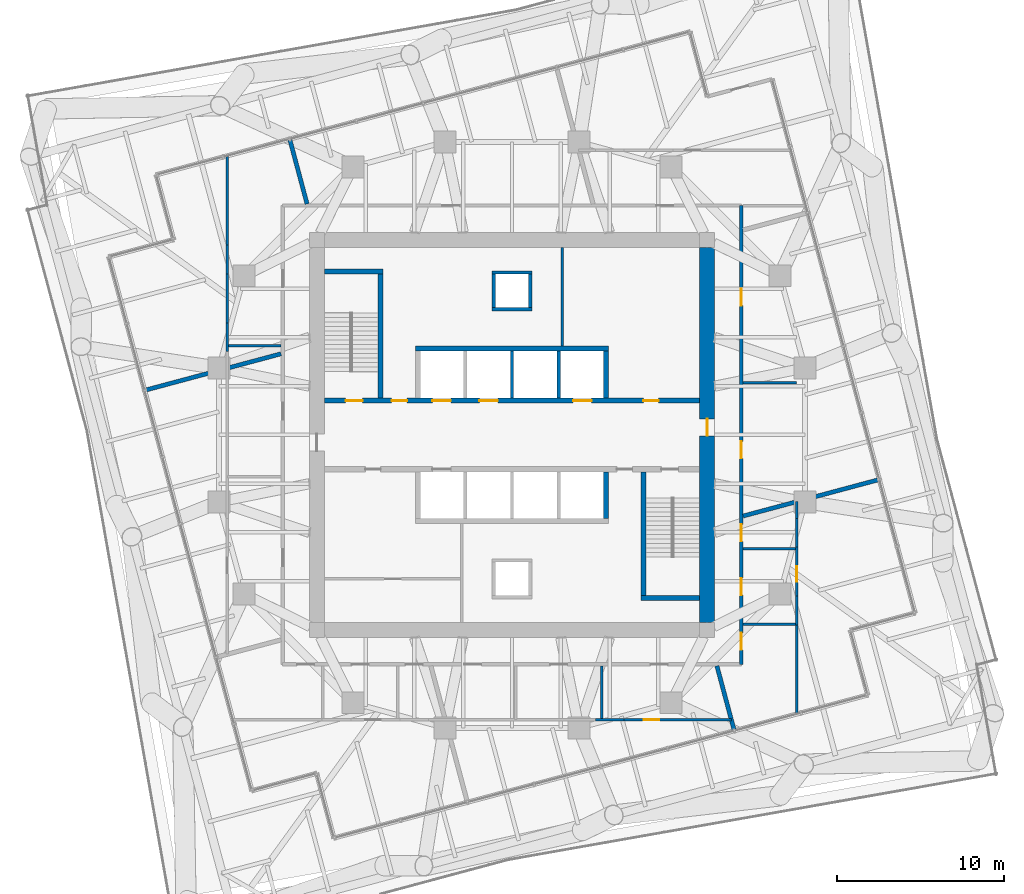
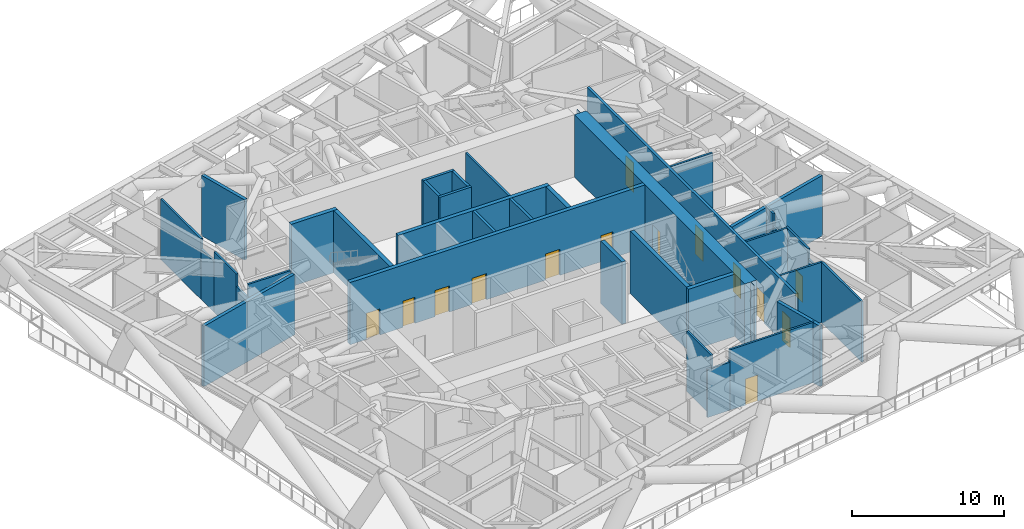
# One storey, part 10 of 14: 37 walls, 14 doors, 14 openings.
"""IFC4 building model written with IfcOpenShell, lengths in metres."""

from ifc_helpers import new_model, si_unit, direction, frame, frame_2d, origin, place, context, subcontext, project, spatial, polyline, rectangle, outline, extrude, material, layer, layer_set, type_object, element, fill, save


model = new_model("IFC4")

# Units and contexts
model_context = context("Model", 3, precision=1e-05, world=origin(), true_north=direction((0.0, 1.0)))
body_context = subcontext(model_context, "Body", "Model", "MODEL_VIEW")
ifc_project = project(units=[si_unit("LENGTHUNIT", "METRE"), si_unit("AREAUNIT", "SQUARE_METRE"), si_unit("VOLUMEUNIT", "CUBIC_METRE"), si_unit("PLANEANGLEUNIT", "RADIAN"), si_unit("MASSUNIT", "GRAM", prefix="KILO")], contexts=[model_context])

# Site, building, storey
site_placement = place(None, origin())
site = spatial("IfcSite", under=ifc_project, at=site_placement, CompositionType="ELEMENT")
building_placement = place(site_placement, origin())
building = spatial("IfcBuilding", under=site, at=building_placement, Name="Torsade Residences", CompositionType="ELEMENT")
storey_placement = place(building_placement, frame((0.0, 0.0, 106.60009765625)))
storey = spatial("IfcBuildingStorey", under=building, at=storey_placement, Name="L29", CompositionType="ELEMENT", Elevation=106.60009765625)

# Wall, openings, doors
ifc_material_1 = material(Name="Concrete 80 MPa", Category="concrete")
ifc_layer_1 = layer(ifc_material_1, 0.300048828125)
ifc_layer_set_1 = layer_set([ifc_layer_1], Name="Concrete 80 MPa")
wall_type_1 = type_object("IfcWallType", Name="CORE INTERNAL WALL 300", PredefinedType="SHEAR", material=ifc_layer_set_1)
wall_1_placement = place(storey_placement, frame((28.800048828125, 32.050048828125, 0.0), z_axis=(0.0, 0.0, 1.0), x_axis=(1.0, 0.0, 0.0)))
wall_1 = element("IfcWall", 1, at=wall_1_placement, inside=storey, type_object=wall_type_1, Name="Core wall LN L29", PredefinedType="SHEAR", context=body_context, shape_type="SweptSolid", body=[
    extrude(rectangle(XDim=22.39990234375, YDim=0.300048828125, at=frame_2d((11.199951171875, 0.0))), origin(), (0.0, 0.0, 1.0), 5.0),
])
opening_1_placement = place(wall_1_placement, frame((19.0400390625, 0.0, 0.0)))
opening_1 = element("IfcOpeningElement", 2, at=opening_1_placement, cuts=wall_1, Name="Opening D06", PredefinedType="OPENING", context=body_context, shape_type="SweptSolid", body=[
    extrude(rectangle(XDim=0.919921875, YDim=2.10009765625, at=frame_2d((0.4599609375, 1.050048828125))), frame((0.0, 0.159912109375, 0.0), z_axis=(0.0, -1.0, 0.0), x_axis=(1.0, 0.0, 0.0)), (0.0, 0.0, 1.0), 0.320068359375),
])
opening_2_placement = place(wall_1_placement, frame((1.264892578125, 0.0, 0.0)))
opening_2 = element("IfcOpeningElement", 3, at=opening_2_placement, cuts=wall_1, Name="Opening D03", PredefinedType="OPENING", context=body_context, shape_type="SweptSolid", body=[
    extrude(rectangle(XDim=1.02001953125, YDim=2.10009765625, at=frame_2d((0.510009765625, 1.050048828125))), frame((0.0, 0.159912109375, 0.0), z_axis=(0.0, -1.0, 0.0), x_axis=(1.0, 0.0, 0.0)), (0.0, 0.0, 1.0), 0.320068359375),
])
opening_3_placement = place(wall_1_placement, frame((4.014892578125, 0.0, 0.0)))
opening_3 = element("IfcOpeningElement", 4, at=opening_3_placement, cuts=wall_1, Name="Opening D06", PredefinedType="OPENING", context=body_context, shape_type="SweptSolid", body=[
    extrude(rectangle(XDim=0.919921875, YDim=2.10009765625, at=frame_2d((0.4599609375, 1.050048828125))), frame((0.0, 0.159912109375, 0.0), z_axis=(0.0, -1.0, 0.0), x_axis=(1.0, 0.0, 0.0)), (0.0, 0.0, 1.0), 0.320068359375),
])
opening_4_placement = place(wall_1_placement, frame((6.449951171875, 0.0, 0.0)))
opening_4 = element("IfcOpeningElement", 5, at=opening_4_placement, cuts=wall_1, Name="Opening LD", PredefinedType="OPENING", context=body_context, shape_type="SweptSolid", body=[
    extrude(rectangle(XDim=1.10009765625, YDim=2.10009765625, at=frame_2d((0.550048828125, 1.050048828125))), frame((0.0, 0.159912109375, 0.0), z_axis=(0.0, -1.0, 0.0), x_axis=(1.0, 0.0, 0.0)), (0.0, 0.0, 1.0), 0.320068359375),
])
opening_5_placement = place(wall_1_placement, frame((9.25, 0.0, 0.0)))
opening_5 = element("IfcOpeningElement", 6, at=opening_5_placement, cuts=wall_1, Name="Opening LD", PredefinedType="OPENING", context=body_context, shape_type="SweptSolid", body=[
    extrude(rectangle(XDim=1.10009765625, YDim=2.10009765625, at=frame_2d((0.550048828125, 1.050048828125))), frame((0.0, 0.159912109375, 0.0), z_axis=(0.0, -1.0, 0.0), x_axis=(1.0, 0.0, 0.0)), (0.0, 0.0, 1.0), 0.320068359375),
])
opening_6_placement = place(wall_1_placement, frame((14.85009765625, 0.0, 0.0)))
opening_6 = element("IfcOpeningElement", 7, at=opening_6_placement, cuts=wall_1, Name="Opening LD", PredefinedType="OPENING", context=body_context, shape_type="SweptSolid", body=[
    extrude(rectangle(XDim=1.10009765625, YDim=2.10009765625, at=frame_2d((0.550048828125, 1.050048828125))), frame((0.0, 0.159912109375, 0.0), z_axis=(0.0, -1.0, 0.0), x_axis=(1.0, 0.0, 0.0)), (0.0, 0.0, 1.0), 0.320068359375),
])
ifc_material_2 = material(Name="Steel-framed fire door", Category="steel")
door_type_1 = type_object("IfcDoorType", Name="FIRE DOOR 1020", OperationType="NOTDEFINED", PredefinedType="DOOR", material=ifc_material_2)
door_1_placement = place(opening_2_placement, origin())
door_1 = element("IfcDoor", 8, at=door_1_placement, inside=storey, type_object=door_type_1, Name="Exit door to fire-isolated stair ST1 L29", OperationType="SINGLE_SWING_RIGHT", OverallHeight=2.10009765625, OverallWidth=1.02001953125, PredefinedType="DOOR", context=body_context, shape_type="SweptSolid", body=[
    extrude(rectangle(XDim=1.02001953125, YDim=2.10009765625, at=frame_2d((0.510009765625, 1.050048828125))), frame((0.0, 0.02490234375, 0.0), z_axis=(0.0, -1.0, 0.0), x_axis=(1.0, 0.0, 0.0)), (0.0, 0.0, 1.0), 0.050048828125),
])
fill(opening_2, door_1)
ifc_material_3 = material(Name="Steel-framed fire door", Category="steel")
door_type_2 = type_object("IfcDoorType", Name="FIRE DOOR 920", OperationType="NOTDEFINED", PredefinedType="DOOR", material=ifc_material_3)
door_2_placement = place(opening_1_placement, origin())
door_2 = element("IfcDoor", 9, at=door_2_placement, inside=storey, type_object=door_type_2, Name="Door Lift lobby to Refuse room", OperationType="SINGLE_SWING_LEFT", OverallHeight=2.10009765625, OverallWidth=0.919921875, PredefinedType="DOOR", context=body_context, shape_type="SweptSolid", body=[
    extrude(rectangle(XDim=0.919921875, YDim=2.10009765625, at=frame_2d((0.4599609375, 1.050048828125))), frame((0.0, 0.02490234375, 0.0), z_axis=(0.0, -1.0, 0.0), x_axis=(1.0, 0.0, 0.0)), (0.0, 0.0, 1.0), 0.050048828125),
])
fill(opening_1, door_2)
door_3_placement = place(opening_3_placement, origin())
door_3 = element("IfcDoor", 10, at=door_3_placement, inside=storey, type_object=door_type_2, Name="Door Lift lobby to Electrical riser room", OperationType="SINGLE_SWING_LEFT", OverallHeight=2.10009765625, OverallWidth=0.919921875, PredefinedType="DOOR", context=body_context, shape_type="SweptSolid", body=[
    extrude(rectangle(XDim=0.919921875, YDim=2.10009765625, at=frame_2d((0.4599609375, 1.050048828125))), frame((0.0, 0.02490234375, 0.0), z_axis=(0.0, -1.0, 0.0), x_axis=(1.0, 0.0, 0.0)), (0.0, 0.0, 1.0), 0.050048828125),
])
fill(opening_3, door_3)
ifc_material_4 = material(Name="Stainless steel lift landing door", Category="steel")
door_type_3 = type_object("IfcDoorType", Name="LIFT LANDING DOOR 1100", OperationType="SLIDING_TO_LEFT", PredefinedType="DOOR", material=ifc_material_4)
door_4_placement = place(opening_4_placement, origin())
door_4 = element("IfcDoor", 11, at=door_4_placement, inside=storey, type_object=door_type_3, Name="Lift LA1 landing door L29", OperationType="SLIDING_TO_LEFT", OverallHeight=2.10009765625, OverallWidth=1.10009765625, PredefinedType="DOOR", context=body_context, shape_type="SweptSolid", body=[
    extrude(rectangle(XDim=1.10009765625, YDim=2.10009765625, at=frame_2d((0.550048828125, 1.050048828125))), frame((0.0, 0.02490234375, 0.0), z_axis=(0.0, -1.0, 0.0), x_axis=(1.0, 0.0, 0.0)), (0.0, 0.0, 1.0), 0.050048828125),
])
fill(opening_4, door_4)
door_5_placement = place(opening_5_placement, origin())
door_5 = element("IfcDoor", 12, at=door_5_placement, inside=storey, type_object=door_type_3, Name="Lift LA2 landing door L29", OperationType="SLIDING_TO_LEFT", OverallHeight=2.10009765625, OverallWidth=1.10009765625, PredefinedType="DOOR", context=body_context, shape_type="SweptSolid", body=[
    extrude(rectangle(XDim=1.10009765625, YDim=2.10009765625, at=frame_2d((0.550048828125, 1.050048828125))), frame((0.0, 0.02490234375, 0.0), z_axis=(0.0, -1.0, 0.0), x_axis=(1.0, 0.0, 0.0)), (0.0, 0.0, 1.0), 0.050048828125),
])
fill(opening_5, door_5)
door_6_placement = place(opening_6_placement, origin())
door_6 = element("IfcDoor", 13, at=door_6_placement, inside=storey, type_object=door_type_3, Name="Lift FL1 landing door L29", OperationType="SLIDING_TO_LEFT", OverallHeight=2.10009765625, OverallWidth=1.10009765625, PredefinedType="DOOR", context=body_context, shape_type="SweptSolid", body=[
    extrude(rectangle(XDim=1.10009765625, YDim=2.10009765625, at=frame_2d((0.550048828125, 1.050048828125))), frame((0.0, 0.02490234375, 0.0), z_axis=(0.0, -1.0, 0.0), x_axis=(1.0, 0.0, 0.0)), (0.0, 0.0, 1.0), 0.050048828125),
])
fill(opening_6, door_6)

# Walls
wall_2_placement = place(storey_placement, frame((34.25, 35.14990234375, 0.0), z_axis=(0.0, 0.0, 1.0), x_axis=(1.0, 0.0, 0.0)))
element("IfcWall", 14, at=wall_2_placement, inside=storey, type_object=wall_type_1, Name="Core wall BN L29", PredefinedType="SHEAR", context=body_context, shape_type="SweptSolid", body=[
    extrude(rectangle(XDim=11.5, YDim=0.300048828125, at=frame_2d((5.75, 0.0))), origin(), (0.0, 0.0, 1.0), 5.0),
])
for number, where, z_axis, x_axis, name in (
    (15, (45.60009765625, 27.800048828125, 0.0), (0.0, 0.0, 1.0), (0.0, -1.0, 0.0), "Core wall DS0 L29"),
    (16, (45.60009765625, 32.199951171875, 0.0), (0.0, 0.0, 1.0), (0.0, 1.0, 0.0), "Core wall DN4 L29"),
):
    element("IfcWall", number, at=place(storey_placement, frame(where, z_axis=z_axis, x_axis=x_axis)), inside=storey, type_object=wall_type_1, Name=name, PredefinedType="SHEAR", context=body_context, shape_type="SweptSolid", body=[
        extrude(rectangle(XDim=2.800048828125, YDim=0.300048828125, at=frame_2d((1.39990234375, 0.0))), origin(), (0.0, 0.0, 1.0), 5.0),
    ])
wall_3_placement = place(storey_placement, frame((32.14990234375, 32.199951171875, 0.0), z_axis=(0.0, 0.0, 1.0), x_axis=(0.0, 1.0, 0.0)))
element("IfcWall", 17, at=wall_3_placement, inside=storey, type_object=wall_type_1, Name="Core wall ST1E L29", PredefinedType="SHEAR", context=body_context, shape_type="SweptSolid", body=[
    extrude(rectangle(XDim=7.699951171875, YDim=0.300048828125, at=frame_2d((3.85009765625, 0.0))), origin(), (0.0, 0.0, 1.0), 5.0),
])
wall_4_placement = place(storey_placement, frame((28.800048828125, 39.75, 0.0), z_axis=(0.0, 0.0, 1.0), x_axis=(1.0, 0.0, 0.0)))
element("IfcWall", 18, at=wall_4_placement, inside=storey, type_object=wall_type_1, Name="Core wall ST1N L29", PredefinedType="SHEAR", context=body_context, shape_type="SweptSolid", body=[
    extrude(rectangle(XDim=3.5, YDim=0.300048828125, at=frame_2d((1.75, 0.0))), origin(), (0.0, 0.0, 1.0), 5.0),
])
wall_5_placement = place(storey_placement, frame((47.85009765625, 27.800048828125, 0.0), z_axis=(0.0, 0.0, 1.0), x_axis=(0.0, -1.0, 0.0)))
element("IfcWall", 19, at=wall_5_placement, inside=storey, type_object=wall_type_1, Name="Core wall ST2W L29", PredefinedType="SHEAR", context=body_context, shape_type="SweptSolid", body=[
    extrude(rectangle(XDim=7.699951171875, YDim=0.300048828125, at=frame_2d((3.85009765625, 0.0))), origin(), (0.0, 0.0, 1.0), 5.0),
])
wall_6_placement = place(storey_placement, frame((51.199951171875, 20.25, 0.0), z_axis=(0.0, 0.0, 1.0), x_axis=(-1.0, 0.0, 0.0)))
element("IfcWall", 20, at=wall_6_placement, inside=storey, type_object=wall_type_1, Name="Core wall ST2S L29", PredefinedType="SHEAR", context=body_context, shape_type="SweptSolid", body=[
    extrude(rectangle(XDim=3.5, YDim=0.300048828125, at=frame_2d((1.75, 0.0))), origin(), (0.0, 0.0, 1.0), 5.0),
])

# Wall, opening, door
ifc_material_5 = material(Name="Concrete 80 MPa", Category="concrete")
ifc_layer_2 = layer(ifc_material_5, 0.89990234375)
ifc_layer_set_2 = layer_set([ifc_layer_2], Name="Concrete 80 MPa")
wall_type_2 = type_object("IfcWallType", Name="CORE WALL 900", PredefinedType="SHEAR", material=ifc_layer_set_2)
wall_7_placement = place(storey_placement, frame((51.64990234375, 18.800048828125, 0.0), z_axis=(0.0, 0.0, 1.0), x_axis=(0.0, 1.0, 0.0)))
wall_7 = element("IfcWall", 21, at=wall_7_placement, inside=storey, type_object=wall_type_2, Name="Core wall E L29", PredefinedType="SHEAR", context=body_context, shape_type="SweptSolid", body=[
    extrude(outline(polyline([(0.0, -0.449951171875), (22.39990234375, -0.449951171875), (22.39990234375, -0.02490234375), (22.849853515625, -0.02490234375), (22.849853515625, 0.02490234375), (22.39990234375, 0.02490234375), (22.39990234375, 0.449951171875), (0.0, 0.449951171875), (0.0, 0.02490234375), (-0.449951171875, 0.02490234375), (-0.449951171875, -0.02490234375), (0.0, -0.02490234375), (0.0, -0.449951171875)])), origin(), (0.0, 0.0, 1.0), 5.0),
])
opening_7_placement = place(wall_7_placement, frame((11.139892578125, 0.0, 0.0)))
opening_7 = element("IfcOpeningElement", 22, at=opening_7_placement, cuts=wall_7, Name="Opening D04", PredefinedType="OPENING", context=body_context, shape_type="SweptSolid", body=[
    extrude(rectangle(XDim=1.02001953125, YDim=2.39990234375, at=frame_2d((0.510009765625, 1.199951171875))), frame((0.0, 0.4599609375, 0.0), z_axis=(0.0, -1.0, 0.0), x_axis=(1.0, 0.0, 0.0)), (0.0, 0.0, 1.0), 0.919921875),
])
ifc_material_6 = material(Name="Steel-framed fire door", Category="steel")
door_type_4 = type_object("IfcDoorType", Name="LOBBY SMOKE DOOR 1020x2400", OperationType="NOTDEFINED", PredefinedType="DOOR", material=ifc_material_6)
door_7_placement = place(opening_7_placement, origin())
door_7 = element("IfcDoor", 23, at=door_7_placement, inside=storey, type_object=door_type_4, Name="Lift lobby door E L29", OperationType="SINGLE_SWING_LEFT", OverallHeight=2.39990234375, OverallWidth=1.02001953125, PredefinedType="DOOR", context=body_context, shape_type="SweptSolid", body=[
    extrude(rectangle(XDim=1.02001953125, YDim=2.39990234375, at=frame_2d((0.510009765625, 1.199951171875))), frame((0.0, 0.02490234375, 0.0), z_axis=(0.0, -1.0, 0.0), x_axis=(1.0, 0.0, 0.0)), (0.0, 0.0, 1.0), 0.050048828125),
])
fill(opening_7, door_7)

# Wall, openings, doors
ifc_material_7 = material(Name="Plasterboard on steel stud", Category="steel")
ifc_layer_3 = layer(ifc_material_7, 0.199951171875)
ifc_layer_set_3 = layer_set([ifc_layer_3], Name="Plasterboard on steel stud")
wall_type_3 = type_object("IfcWallType", Name="CORRIDOR WALL 200", PredefinedType="PARTITIONING", material=ifc_layer_set_3)
wall_8_placement = place(storey_placement, frame((53.699951171875, 16.300048828125, 0.0), z_axis=(0.0, 0.0, 1.0), x_axis=(0.0, 1.0, 0.0)))
wall_8 = element("IfcWall", 24, at=wall_8_placement, inside=storey, type_object=wall_type_3, Name="Corridor wall L29", PredefinedType="PARTITIONING", context=body_context, shape_type="SweptSolid", body=[
    extrude(rectangle(XDim=27.39990234375, YDim=0.199951171875, at=frame_2d((13.699951171875, 0.0))), origin(), (0.0, 0.0, 1.0), 4.849853515625),
])
opening_8_placement = place(wall_8_placement, frame((21.421142578125, 0.0, 0.0)))
opening_8 = element("IfcOpeningElement", 25, at=opening_8_placement, cuts=wall_8, Name="Opening D01", PredefinedType="OPENING", context=body_context, shape_type="SweptSolid", body=[
    extrude(rectangle(XDim=1.02001953125, YDim=2.340087890625, at=frame_2d((0.510009765625, 1.169921875))), frame((0.0, 0.10986328125, 0.0), z_axis=(0.0, -1.0, 0.0), x_axis=(1.0, 0.0, 0.0)), (0.0, 0.0, 1.0), 0.219970703125),
])
opening_9_placement = place(wall_8_placement, frame((12.293212890625, 0.0, 0.0)))
opening_9 = element("IfcOpeningElement", 26, at=opening_9_placement, cuts=wall_8, Name="Opening D01", PredefinedType="OPENING", context=body_context, shape_type="SweptSolid", body=[
    extrude(rectangle(XDim=1.02001953125, YDim=2.340087890625, at=frame_2d((0.510009765625, 1.169921875))), frame((0.0, 0.10986328125, 0.0), z_axis=(0.0, -1.0, 0.0), x_axis=(1.0, 0.0, 0.0)), (0.0, 0.0, 1.0), 0.219970703125),
])
opening_10_placement = place(wall_8_placement, frame((4.133056640625, 0.0, 0.0)))
opening_10 = element("IfcOpeningElement", 27, at=opening_10_placement, cuts=wall_8, Name="Opening D01", PredefinedType="OPENING", context=body_context, shape_type="SweptSolid", body=[
    extrude(rectangle(XDim=1.02001953125, YDim=2.340087890625, at=frame_2d((0.510009765625, 1.169921875))), frame((0.0, 0.10986328125, 0.0), z_axis=(0.0, -1.0, 0.0), x_axis=(1.0, 0.0, 0.0)), (0.0, 0.0, 1.0), 0.219970703125),
])
opening_11_placement = place(wall_8_placement, frame((0.8623046875, 0.0, 0.0)))
opening_11 = element("IfcOpeningElement", 28, at=opening_11_placement, cuts=wall_8, Name="Opening D01", PredefinedType="OPENING", context=body_context, shape_type="SweptSolid", body=[
    extrude(rectangle(XDim=1.02001953125, YDim=2.340087890625, at=frame_2d((0.510009765625, 1.169921875))), frame((0.0, 0.10986328125, 0.0), z_axis=(0.0, -1.0, 0.0), x_axis=(1.0, 0.0, 0.0)), (0.0, 0.0, 1.0), 0.219970703125),
])
opening_12_placement = place(wall_8_placement, frame((7.341552734375, 0.0, 0.0)))
opening_12 = element("IfcOpeningElement", 29, at=opening_12_placement, cuts=wall_8, Name="Opening D01", PredefinedType="OPENING", context=body_context, shape_type="SweptSolid", body=[
    extrude(rectangle(XDim=1.02001953125, YDim=2.340087890625, at=frame_2d((0.510009765625, 1.169921875))), frame((0.0, 0.10986328125, 0.0), z_axis=(0.0, -1.0, 0.0), x_axis=(1.0, 0.0, 0.0)), (0.0, 0.0, 1.0), 0.219970703125),
])
ifc_material_8 = material(Name="Solid-core timber fire door", Category="wood")
door_type_5 = type_object("IfcDoorType", Name="APARTMENT ENTRY DOOR 1020x2340", OperationType="NOTDEFINED", PredefinedType="DOOR", material=ifc_material_8)
door_8_placement = place(opening_8_placement, origin())
door_8 = element("IfcDoor", 30, at=door_8_placement, inside=storey, type_object=door_type_5, Name="Door Plant corridor to Service lobby", OperationType="SINGLE_SWING_RIGHT", OverallHeight=2.340087890625, OverallWidth=1.02001953125, PredefinedType="DOOR", context=body_context, shape_type="SweptSolid", body=[
    extrude(rectangle(XDim=1.02001953125, YDim=2.340087890625, at=frame_2d((0.510009765625, 1.169921875))), frame((0.0, 0.02490234375, 0.0), z_axis=(0.0, -1.0, 0.0), x_axis=(1.0, 0.0, 0.0)), (0.0, 0.0, 1.0), 0.050048828125),
])
fill(opening_8, door_8)
door_9_placement = place(opening_9_placement, origin())
door_9 = element("IfcDoor", 31, at=door_9_placement, inside=storey, type_object=door_type_5, Name="Door Plant corridor to Plant cupboard", OperationType="SINGLE_SWING_RIGHT", OverallHeight=2.340087890625, OverallWidth=1.02001953125, PredefinedType="DOOR", context=body_context, shape_type="SweptSolid", body=[
    extrude(rectangle(XDim=1.02001953125, YDim=2.340087890625, at=frame_2d((0.510009765625, 1.169921875))), frame((0.0, 0.02490234375, 0.0), z_axis=(0.0, -1.0, 0.0), x_axis=(1.0, 0.0, 0.0)), (0.0, 0.0, 1.0), 0.050048828125),
])
fill(opening_9, door_9)
door_10_placement = place(opening_10_placement, origin())
door_10 = element("IfcDoor", 32, at=door_10_placement, inside=storey, type_object=door_type_5, Name="Door Plant corridor to Service lobby", OperationType="SINGLE_SWING_LEFT", OverallHeight=2.340087890625, OverallWidth=1.02001953125, PredefinedType="DOOR", context=body_context, shape_type="SweptSolid", body=[
    extrude(rectangle(XDim=1.02001953125, YDim=2.340087890625, at=frame_2d((0.510009765625, 1.169921875))), frame((0.0, 0.02490234375, 0.0), z_axis=(0.0, -1.0, 0.0), x_axis=(1.0, 0.0, 0.0)), (0.0, 0.0, 1.0), 0.050048828125),
])
fill(opening_10, door_10)
door_11_placement = place(opening_11_placement, origin())
door_11 = element("IfcDoor", 33, at=door_11_placement, inside=storey, type_object=door_type_5, Name="Door Plant corridor to Pump room", OperationType="SINGLE_SWING_LEFT", OverallHeight=2.340087890625, OverallWidth=1.02001953125, PredefinedType="DOOR", context=body_context, shape_type="SweptSolid", body=[
    extrude(rectangle(XDim=1.02001953125, YDim=2.340087890625, at=frame_2d((0.510009765625, 1.169921875))), frame((0.0, 0.02490234375, 0.0), z_axis=(0.0, -1.0, 0.0), x_axis=(1.0, 0.0, 0.0)), (0.0, 0.0, 1.0), 0.050048828125),
])
fill(opening_11, door_11)
door_12_placement = place(opening_12_placement, origin())
door_12 = element("IfcDoor", 34, at=door_12_placement, inside=storey, type_object=door_type_5, Name="Door Plant corridor to Plant cupboard", OperationType="SINGLE_SWING_LEFT", OverallHeight=2.340087890625, OverallWidth=1.02001953125, PredefinedType="DOOR", context=body_context, shape_type="SweptSolid", body=[
    extrude(rectangle(XDim=1.02001953125, YDim=2.340087890625, at=frame_2d((0.510009765625, 1.169921875))), frame((0.0, 0.02490234375, 0.0), z_axis=(0.0, -1.0, 0.0), x_axis=(1.0, 0.0, 0.0)), (0.0, 0.0, 1.0), 0.050048828125),
])
fill(opening_12, door_12)

# Walls
ifc_material_9 = material(Name="Reinforced blockwork", Category="masonry")
ifc_layer_4 = layer(ifc_material_9, 0.199951171875)
ifc_layer_set_4 = layer_set([ifc_layer_4], Name="Reinforced blockwork")
wall_type_4 = type_object("IfcWallType", Name="LIFT SHAFT DIVIDING WALL 200", PredefinedType="SOLIDWALL", material=ifc_layer_set_4)
for number, where, z_axis, x_axis, name in (
    (35, (40.0, 32.199951171875, 0.0), (0.0, 0.0, 1.0), (0.0, 1.0, 0.0), "Core wall DN2 L29"),
    (36, (42.800048828125, 32.199951171875, 0.0), (0.0, 0.0, 1.0), (0.0, 1.0, 0.0), "Core wall DN3 L29"),
):
    element("IfcWall", number, at=place(storey_placement, frame(where, z_axis=z_axis, x_axis=x_axis)), inside=storey, type_object=wall_type_4, Name=name, PredefinedType="SOLIDWALL", context=body_context, shape_type="SweptSolid", body=[
        extrude(rectangle(XDim=2.800048828125, YDim=0.199951171875, at=frame_2d((1.39990234375, 0.0))), origin(), (0.0, 0.0, 1.0), 5.0),
    ])
ifc_material_10 = material(Name="Masonry-lined stud party wall", Category="masonry")
ifc_layer_5 = layer(ifc_material_10, 0.25)
ifc_layer_set_5 = layer_set([ifc_layer_5], Name="Masonry-lined stud party wall")
wall_type_5 = type_object("IfcWallType", Name="PARTY WALL 250", PredefinedType="PARTITIONING", material=ifc_layer_set_5)
wall_9_placement = place(storey_placement, frame((53.274658203125, 12.333740234375, 0.0), z_axis=(0.0, 0.0, 1.0), x_axis=(-0.258807108475, 0.96592902462, 0.0)))
element("IfcWall", 37, at=wall_9_placement, inside=storey, type_object=wall_type_5, Name="Party wall L29", PredefinedType="PARTITIONING", context=body_context, shape_type="SweptSolid", body=[
    extrude(rectangle(XDim=4.009033203125, YDim=0.25, at=frame_2d((2.00439453125, 0.0))), origin(), (0.0, 0.0, 1.0), 4.849853515625),
])
wall_10_placement = place(storey_placement, frame((61.936767578125, 27.3369140625, 0.0), z_axis=(0.0, 0.0, 1.0), x_axis=(-0.965927110389, -0.25881425273, 0.0)))
element("IfcWall", 38, at=wall_10_placement, inside=storey, type_object=wall_type_5, Name="Party wall L29", PredefinedType="PARTITIONING", context=body_context, shape_type="SweptSolid", body=[
    extrude(rectangle(XDim=8.430419921875, YDim=0.25, at=frame_2d((4.21533203125, 0.0))), origin(), (0.0, 0.0, 1.0), 4.849853515625),
])
wall_11_placement = place(storey_placement, frame((26.725341796875, 47.666259765625, 0.0), z_axis=(0.0, 0.0, 1.0), x_axis=(0.258807108475, -0.96592902462, 0.0)))
element("IfcWall", 39, at=wall_11_placement, inside=storey, type_object=wall_type_5, Name="Party wall L29", PredefinedType="PARTITIONING", context=body_context, shape_type="SweptSolid", body=[
    extrude(rectangle(XDim=4.009033203125, YDim=0.25, at=frame_2d((2.00439453125, 0.0))), origin(), (0.0, 0.0, 1.0), 4.849853515625),
])
wall_12_placement = place(storey_placement, frame((18.063232421875, 32.6630859375, 0.0), z_axis=(0.0, 0.0, 1.0), x_axis=(0.965927110389, 0.25881425273, 0.0)))
element("IfcWall", 40, at=wall_12_placement, inside=storey, type_object=wall_type_5, Name="Party wall L29", PredefinedType="PARTITIONING", context=body_context, shape_type="SweptSolid", body=[
    extrude(rectangle(XDim=8.430419921875, YDim=0.25, at=frame_2d((4.21533203125, 0.0))), origin(), (0.0, 0.0, 1.0), 4.849853515625),
])
ifc_material_11 = material(Name="Reinforced blockwork", Category="masonry")
ifc_layer_6 = layer(ifc_material_11, 0.199951171875)
ifc_layer_set_6 = layer_set([ifc_layer_6], Name="Reinforced blockwork")
wall_type_6 = type_object("IfcWallType", Name="RISER SHAFT WALL 200", PredefinedType="SOLIDWALL", material=ifc_layer_set_6)
for number, where, z_axis, x_axis, name in (
    (41, (38.89990234375, 37.60009765625, 0.0), (0.0, 0.0, 1.0), (0.0, 1.0, 0.0), "Core wall RS1a L29"),
    (42, (41.10009765625, 37.60009765625, 0.0), (0.0, 0.0, 1.0), (0.0, 1.0, 0.0), "Core wall RS1b L29"),
):
    element("IfcWall", number, at=place(storey_placement, frame(where, z_axis=z_axis, x_axis=x_axis)), inside=storey, type_object=wall_type_6, Name=name, PredefinedType="SOLIDWALL", context=body_context, shape_type="SweptSolid", body=[
        extrude(rectangle(XDim=2.0, YDim=0.199951171875, at=frame_2d((1.0, 0.0))), origin(), (0.0, 0.0, 1.0), 5.0),
    ])
for number, where, z_axis, x_axis, name in (
    (43, (38.800048828125, 37.5, 0.0), (0.0, 0.0, 1.0), (1.0, 0.0, 0.0), "Core wall RS1c L29"),
    (44, (38.800048828125, 39.699951171875, 0.0), (0.0, 0.0, 1.0), (1.0, 0.0, 0.0), "Core wall RS1d L29"),
):
    element("IfcWall", number, at=place(storey_placement, frame(where, z_axis=z_axis, x_axis=x_axis)), inside=storey, type_object=wall_type_6, Name=name, PredefinedType="SOLIDWALL", context=body_context, shape_type="SweptSolid", body=[
        extrude(rectangle(XDim=2.39990234375, YDim=0.199951171875, at=frame_2d((1.199951171875, 0.0))), origin(), (0.0, 0.0, 1.0), 5.0),
    ])
ifc_material_12 = material(Name="Reinforced blockwork", Category="masonry")
ifc_layer_7 = layer(ifc_material_12, 0.14990234375)
ifc_layer_set_7 = layer_set([ifc_layer_7], Name="Reinforced blockwork")
wall_type_7 = type_object("IfcWallType", Name="SERVICE ROOM WALL 150", PredefinedType="SOLIDWALL", material=ifc_layer_set_7)
wall_13_placement = place(storey_placement, frame((43.0, 41.199951171875, 0.0), z_axis=(0.0, 0.0, 1.0), x_axis=(0.0, -1.0, 0.0)))
element("IfcWall", 45, at=wall_13_placement, inside=storey, type_object=wall_type_7, Name="Service room wall L29", PredefinedType="SOLIDWALL", context=body_context, shape_type="SweptSolid", body=[
    extrude(rectangle(XDim=5.89990234375, YDim=0.14990234375, at=frame_2d((2.949951171875, 0.0))), origin(), (0.0, 0.0, 1.0), 4.849853515625),
])

# Wall, opening, door
wall_14_placement = place(storey_placement, frame((53.09619140625, 13.0, 0.0), z_axis=(0.0, 0.0, 1.0), x_axis=(-1.0, 0.0, 0.0)))
wall_14 = element("IfcWall", 46, at=wall_14_placement, inside=storey, type_object=wall_type_7, Name="Service room wall L29", PredefinedType="SOLIDWALL", context=body_context, shape_type="SweptSolid", body=[
    extrude(rectangle(XDim=6.417724609375, YDim=0.14990234375, at=frame_2d((3.208984375, 0.0))), origin(), (0.0, 0.0, 1.0), 4.849853515625),
])
opening_13_placement = place(wall_14_placement, frame((4.302490234375, 0.0, 0.0)))
opening_13 = element("IfcOpeningElement", 47, at=opening_13_placement, cuts=wall_14, Name="Opening D06", PredefinedType="OPENING", context=body_context, shape_type="SweptSolid", body=[
    extrude(rectangle(XDim=0.919921875, YDim=2.10009765625, at=frame_2d((0.4599609375, 1.050048828125))), frame((0.0, 0.0849609375, 0.0), z_axis=(0.0, -1.0, 0.0), x_axis=(1.0, 0.0, 0.0)), (0.0, 0.0, 1.0), 0.169921875),
])
door_13_placement = place(opening_13_placement, origin())
door_13 = element("IfcDoor", 48, at=door_13_placement, inside=storey, type_object=door_type_2, Name="Door Service lobby to Mechanical plant room", OperationType="SINGLE_SWING_RIGHT", OverallHeight=2.10009765625, OverallWidth=0.919921875, PredefinedType="DOOR", context=body_context, shape_type="SweptSolid", body=[
    extrude(rectangle(XDim=0.919921875, YDim=2.10009765625, at=frame_2d((0.4599609375, 1.050048828125))), frame((0.0, 0.02490234375, 0.0), z_axis=(0.0, -1.0, 0.0), x_axis=(1.0, 0.0, 0.0)), (0.0, 0.0, 1.0), 0.050048828125),
])
fill(opening_13, door_13)

# Walls
wall_15_placement = place(storey_placement, frame((46.678466796875, 13.0, 0.0), z_axis=(0.0, 0.0, 1.0), x_axis=(-1.0, 0.0, 0.0)))
element("IfcWall", 49, at=wall_15_placement, inside=storey, type_object=wall_type_7, Name="Service room wall L29", PredefinedType="SOLIDWALL", context=body_context, shape_type="SweptSolid", body=[
    extrude(rectangle(XDim=1.690185546875, YDim=0.14990234375, at=frame_2d((0.84521484375, 0.0))), origin(), (0.0, 0.0, 1.0), 3.849853515625),
])
for number, where, z_axis, x_axis, name in (
    (50, (45.37109375, 13.0, 0.0), (0.0, 0.0, 1.0), (0.0, 1.0, 0.0), "Service room wall L29"),
    (51, (57.0, 18.694580078125, 0.0), (0.0, 0.0, 1.0), (-1.0, 0.0, 0.0), "Service room wall L29"),
    (52, (53.800048828125, 23.19140625, 0.0), (0.0, 0.0, 1.0), (1.0, 0.0, 0.0), "Service room wall L29"),
):
    element("IfcWall", number, at=place(storey_placement, frame(where, z_axis=z_axis, x_axis=x_axis)), inside=storey, type_object=wall_type_7, Name=name, PredefinedType="SOLIDWALL", context=body_context, shape_type="SweptSolid", body=[
        extrude(rectangle(XDim=3.199951171875, YDim=0.14990234375, at=frame_2d((1.60009765625, 0.0))), origin(), (0.0, 0.0, 1.0), 4.849853515625),
    ])
wall_16_placement = place(storey_placement, frame((57.0, 26.01416015625, 0.0), z_axis=(0.0, 0.0, 1.0), x_axis=(0.0, -1.0, 0.0)))
element("IfcWall", 53, at=wall_16_placement, inside=storey, type_object=wall_type_7, Name="Service room wall L29", PredefinedType="SOLIDWALL", context=body_context, shape_type="SweptSolid", body=[
    extrude(rectangle(XDim=1.00244140625, YDim=0.14990234375, at=frame_2d((0.501220703125, 0.0))), origin(), (0.0, 0.0, 1.0), 4.849853515625),
])
wall_17_placement = place(storey_placement, frame((57.0, 25.01171875, 0.0), z_axis=(0.0, 0.0, 1.0), x_axis=(0.0, -1.0, 0.0)))
element("IfcWall", 54, at=wall_17_placement, inside=storey, type_object=wall_type_7, Name="Service room wall L29", PredefinedType="SOLIDWALL", context=body_context, shape_type="SweptSolid", body=[
    extrude(rectangle(XDim=1.690185546875, YDim=0.14990234375, at=frame_2d((0.84521484375, 0.0))), origin(), (0.0, 0.0, 1.0), 3.849853515625),
])

# Wall, opening, door
wall_18_placement = place(storey_placement, frame((57.0, 23.321533203125, 0.0), z_axis=(0.0, 0.0, 1.0), x_axis=(0.0, -1.0, 0.0)))
wall_18 = element("IfcWall", 55, at=wall_18_placement, inside=storey, type_object=wall_type_7, Name="Service room wall L29", PredefinedType="SOLIDWALL", context=body_context, shape_type="SweptSolid", body=[
    extrude(rectangle(XDim=2.94189453125, YDim=0.14990234375, at=frame_2d((1.470947265625, 0.0))), origin(), (0.0, 0.0, 1.0), 4.849853515625),
])
opening_14_placement = place(wall_18_placement, frame((1.168701171875, 0.0, 0.0)))
opening_14 = element("IfcOpeningElement", 56, at=opening_14_placement, cuts=wall_18, Name="Opening D06", PredefinedType="OPENING", context=body_context, shape_type="SweptSolid", body=[
    extrude(rectangle(XDim=0.919921875, YDim=2.10009765625, at=frame_2d((0.4599609375, 1.050048828125))), frame((0.0, 0.0849609375, 0.0), z_axis=(0.0, -1.0, 0.0), x_axis=(1.0, 0.0, 0.0)), (0.0, 0.0, 1.0), 0.169921875),
])
door_14_placement = place(opening_14_placement, origin())
door_14 = element("IfcDoor", 57, at=door_14_placement, inside=storey, type_object=door_type_2, Name="Door Service lobby to Water tank room", OperationType="SINGLE_SWING_LEFT", OverallHeight=2.10009765625, OverallWidth=0.919921875, PredefinedType="DOOR", context=body_context, shape_type="SweptSolid", body=[
    extrude(rectangle(XDim=0.919921875, YDim=2.10009765625, at=frame_2d((0.4599609375, 1.050048828125))), frame((0.0, 0.02490234375, 0.0), z_axis=(0.0, -1.0, 0.0), x_axis=(1.0, 0.0, 0.0)), (0.0, 0.0, 1.0), 0.050048828125),
])
fill(opening_14, door_14)

# Walls
wall_19_placement = place(storey_placement, frame((57.0, 20.379638671875, 0.0), z_axis=(0.0, 0.0, 1.0), x_axis=(0.0, -1.0, 0.0)))
element("IfcWall", 58, at=wall_19_placement, inside=storey, type_object=wall_type_7, Name="Service room wall L29", PredefinedType="SOLIDWALL", context=body_context, shape_type="SweptSolid", body=[
    extrude(rectangle(XDim=1.718994140625, YDim=0.14990234375, at=frame_2d((0.859375, 0.0))), origin(), (0.0, 0.0, 1.0), 4.048828125),
])
wall_20_placement = place(storey_placement, frame((57.0, 18.66064453125, 0.0), z_axis=(0.0, 0.0, 1.0), x_axis=(0.0, -1.0, 0.0)))
element("IfcWall", 59, at=wall_20_placement, inside=storey, type_object=wall_type_7, Name="Service room wall L29", PredefinedType="SOLIDWALL", context=body_context, shape_type="SweptSolid", body=[
    extrude(rectangle(XDim=5.287353515625, YDim=0.14990234375, at=frame_2d((2.6435546875, 0.0))), origin(), (0.0, 0.0, 1.0), 4.849853515625),
])
for number, where, z_axis, x_axis, name in (
    (60, (57.0, 33.112060546875, 0.0), (0.0, 0.0, 1.0), (-1.0, 0.0, 0.0), "Service room wall L29"),
    (61, (26.199951171875, 35.31689453125, 0.0), (0.0, 0.0, 1.0), (-1.0, 0.0, 0.0), "Service room wall L29"),
):
    element("IfcWall", number, at=place(storey_placement, frame(where, z_axis=z_axis, x_axis=x_axis)), inside=storey, type_object=wall_type_7, Name=name, PredefinedType="SOLIDWALL", context=body_context, shape_type="SweptSolid", body=[
        extrude(rectangle(XDim=3.199951171875, YDim=0.14990234375, at=frame_2d((1.60009765625, 0.0))), origin(), (0.0, 0.0, 1.0), 4.849853515625),
    ])
wall_21_placement = place(storey_placement, frame((23.0, 34.98828125, 0.0), z_axis=(0.0, 0.0, 1.0), x_axis=(0.0, 1.0, 0.0)))
element("IfcWall", 62, at=wall_21_placement, inside=storey, type_object=wall_type_7, Name="Service room wall L29", PredefinedType="SOLIDWALL", context=body_context, shape_type="SweptSolid", body=[
    extrude(rectangle(XDim=1.690185546875, YDim=0.14990234375, at=frame_2d((0.84521484375, 0.0))), origin(), (0.0, 0.0, 1.0), 3.849853515625),
])
wall_22_placement = place(storey_placement, frame((23.0, 36.678466796875, 0.0), z_axis=(0.0, 0.0, 1.0), x_axis=(0.0, 1.0, 0.0)))
element("IfcWall", 63, at=wall_22_placement, inside=storey, type_object=wall_type_7, Name="Service room wall L29", PredefinedType="SOLIDWALL", context=body_context, shape_type="SweptSolid", body=[
    extrude(rectangle(XDim=2.94189453125, YDim=0.14990234375, at=frame_2d((1.470947265625, 0.0))), origin(), (0.0, 0.0, 1.0), 4.849853515625),
])
wall_23_placement = place(storey_placement, frame((23.0, 39.620361328125, 0.0), z_axis=(0.0, 0.0, 1.0), x_axis=(0.0, 1.0, 0.0)))
element("IfcWall", 64, at=wall_23_placement, inside=storey, type_object=wall_type_7, Name="Service room wall L29", PredefinedType="SOLIDWALL", context=body_context, shape_type="SweptSolid", body=[
    extrude(rectangle(XDim=1.718994140625, YDim=0.14990234375, at=frame_2d((0.859375, 0.0))), origin(), (0.0, 0.0, 1.0), 4.048828125),
])
wall_24_placement = place(storey_placement, frame((23.0, 41.33935546875, 0.0), z_axis=(0.0, 0.0, 1.0), x_axis=(0.0, 1.0, 0.0)))
element("IfcWall", 65, at=wall_24_placement, inside=storey, type_object=wall_type_7, Name="Service room wall L29", PredefinedType="SOLIDWALL", context=body_context, shape_type="SweptSolid", body=[
    extrude(rectangle(XDim=5.287353515625, YDim=0.14990234375, at=frame_2d((2.6435546875, 0.0))), origin(), (0.0, 0.0, 1.0), 4.849853515625),
])

save(model, "model.ifc")
